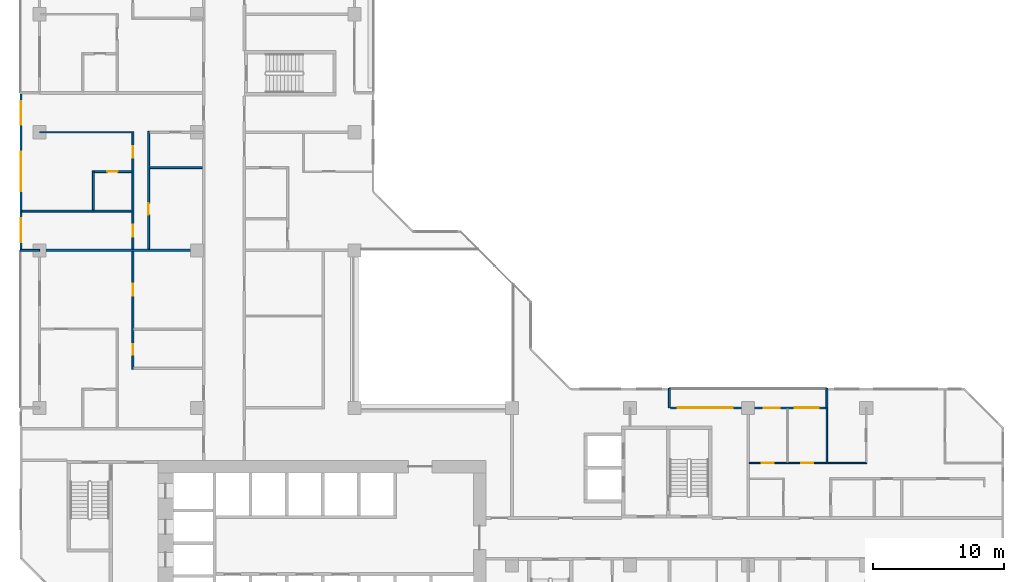
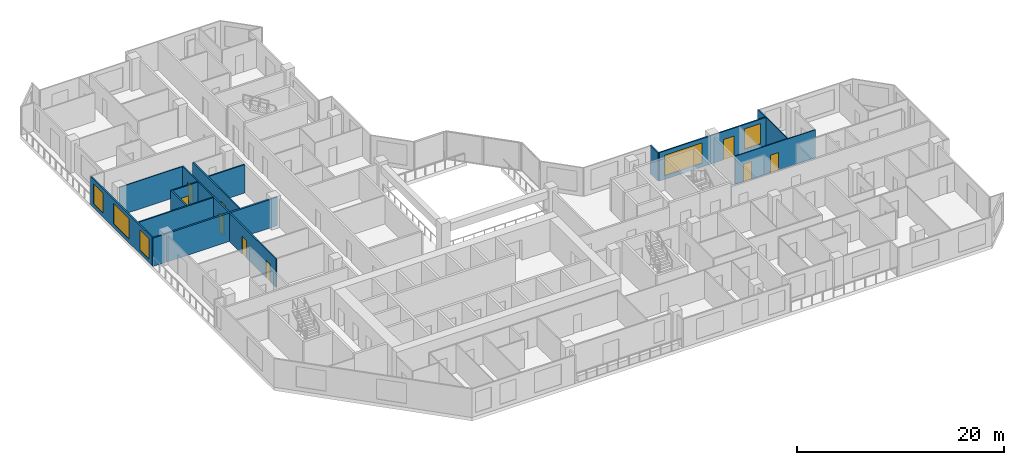
# One storey, part 8 of 14: 16 walls, 9 doors, 5 windows, 14 openings.
"""IFC4 building model written with IfcOpenShell, lengths in metres."""

from ifc_helpers import new_model, si_unit, direction, frame, frame_2d, origin, place, context, subcontext, project, spatial, rectangle, extrude, material, layer, layer_set, type_object, element, fill, save


model = new_model("IFC4")

# Units and contexts
model_context = context("Model", 3, precision=1e-05, world=origin(), true_north=direction((0.0, 1.0)))
body_context = subcontext(model_context, "Body", "Model", "MODEL_VIEW")
ifc_project = project(units=[si_unit("LENGTHUNIT", "METRE"), si_unit("AREAUNIT", "SQUARE_METRE"), si_unit("VOLUMEUNIT", "CUBIC_METRE"), si_unit("PLANEANGLEUNIT", "RADIAN"), si_unit("MASSUNIT", "GRAM", prefix="KILO")], contexts=[model_context])

# Site, building, storey
site_placement = place(None, origin())
site = spatial("IfcSite", under=ifc_project, at=site_placement, CompositionType="ELEMENT")
building_placement = place(site_placement, origin())
building = spatial("IfcBuilding", under=site, at=building_placement, Name="Chenar Terraces", CompositionType="ELEMENT")
storey_placement = place(building_placement, frame((0.0, 0.0, 110.64990234375)))
storey = spatial("IfcBuildingStorey", under=building, at=storey_placement, Name="L25", CompositionType="ELEMENT", Elevation=110.64990234375)

# Wall, openings, windows
ifc_material_1 = material(Name="Aluminium framed glazing", Category="aluminium")
ifc_layer_1 = layer(ifc_material_1, 0.14990234375)
ifc_layer_set_1 = layer_set([ifc_layer_1], Name="Aluminium framed glazing")
wall_type_1 = type_object("IfcWallType", Name="Glazed flush facade wall 150", PredefinedType="SOLIDWALL", material=ifc_layer_set_1)
wall_1_placement = place(storey_placement, frame((-1.425048828125, 47.925048828125, 0.0), z_axis=(0.0, 0.0, 1.0), x_axis=(0.0, -1.0, 0.0)))
wall_1 = element("IfcWall", 1, at=wall_1_placement, inside=storey, type_object=wall_type_1, Name="Glazed flush facade wall", PredefinedType="SOLIDWALL", context=body_context, shape_type="SweptSolid", body=[
    extrude(rectangle(XDim=11.85009765625, YDim=0.14990234375, at=frame_2d((5.925048828125, 0.0))), origin(), (0.0, 0.0, 1.0), 3.35009765625),
])
opening_1_placement = place(wall_1_placement, frame((0.5625, 0.0, 0.449951171875)))
opening_1 = element("IfcOpeningElement", 2, at=opening_1_placement, cuts=wall_1, Name="Opening W180x240", PredefinedType="OPENING", context=body_context, shape_type="SweptSolid", body=[
    extrude(rectangle(XDim=1.800048828125, YDim=2.39990234375, at=frame_2d((0.89990234375, 1.199951171875))), frame((0.0, 0.0849609375, 0.0), z_axis=(0.0, -1.0, 0.0), x_axis=(1.0, 0.0, 0.0)), (0.0, 0.0, 1.0), 0.169921875),
])
opening_2_placement = place(wall_1_placement, frame((4.425048828125, 0.0, 0.449951171875)))
opening_2 = element("IfcOpeningElement", 3, at=opening_2_placement, cuts=wall_1, Name="Opening W300x240", PredefinedType="OPENING", context=body_context, shape_type="SweptSolid", body=[
    extrude(rectangle(XDim=3.0, YDim=2.39990234375, at=frame_2d((1.5, 1.199951171875))), frame((0.0, 0.0849609375, 0.0), z_axis=(0.0, -1.0, 0.0), x_axis=(1.0, 0.0, 0.0)), (0.0, 0.0, 1.0), 0.169921875),
])
opening_3_placement = place(wall_1_placement, frame((9.487548828125, 0.0, 0.449951171875)))
opening_3 = element("IfcOpeningElement", 4, at=opening_3_placement, cuts=wall_1, Name="Opening W180x240", PredefinedType="OPENING", context=body_context, shape_type="SweptSolid", body=[
    extrude(rectangle(XDim=1.800048828125, YDim=2.39990234375, at=frame_2d((0.89990234375, 1.199951171875))), frame((0.0, 0.0849609375, 0.0), z_axis=(0.0, -1.0, 0.0), x_axis=(1.0, 0.0, 0.0)), (0.0, 0.0, 1.0), 0.169921875),
])
ifc_material_2 = material(Name="Low emissivity double glazing, aluminium frame", Category="aluminium")
window_type_1 = type_object("IfcWindowType", Name="Fixed light 1800 x 2400", PartitioningType="SINGLE_PANEL", PredefinedType="WINDOW", material=ifc_material_2)
window_1_placement = place(opening_1_placement, origin())
window_1 = element("IfcWindow", 5, at=window_1_placement, inside=storey, type_object=window_type_1, Name="Window", OverallHeight=2.39990234375, OverallWidth=1.800048828125, PartitioningType="SINGLE_PANEL", PredefinedType="WINDOW", context=body_context, shape_type="SweptSolid", body=[
    extrude(rectangle(XDim=1.800048828125, YDim=2.39990234375, at=frame_2d((0.89990234375, 1.199951171875))), frame((0.0, 0.030029296875, 0.0), z_axis=(0.0, -1.0, 0.0), x_axis=(1.0, 0.0, 0.0)), (0.0, 0.0, 1.0), 0.06005859375),
])
fill(opening_1, window_1)
window_2_placement = place(opening_3_placement, origin())
window_2 = element("IfcWindow", 6, at=window_2_placement, inside=storey, type_object=window_type_1, Name="Window", OverallHeight=2.39990234375, OverallWidth=1.800048828125, PartitioningType="SINGLE_PANEL", PredefinedType="WINDOW", context=body_context, shape_type="SweptSolid", body=[
    extrude(rectangle(XDim=1.800048828125, YDim=2.39990234375, at=frame_2d((0.89990234375, 1.199951171875))), frame((0.0, 0.030029296875, 0.0), z_axis=(0.0, -1.0, 0.0), x_axis=(1.0, 0.0, 0.0)), (0.0, 0.0, 1.0), 0.06005859375),
])
fill(opening_3, window_2)
ifc_material_3 = material(Name="Low emissivity double glazing, aluminium frame", Category="aluminium")
window_type_2 = type_object("IfcWindowType", Name="Fixed light 3000 x 2400", PartitioningType="SINGLE_PANEL", PredefinedType="WINDOW", material=ifc_material_3)
window_3_placement = place(opening_2_placement, origin())
window_3 = element("IfcWindow", 7, at=window_3_placement, inside=storey, type_object=window_type_2, Name="Window", OverallHeight=2.39990234375, OverallWidth=3.0, PartitioningType="SINGLE_PANEL", PredefinedType="WINDOW", context=body_context, shape_type="SweptSolid", body=[
    extrude(rectangle(XDim=3.0, YDim=2.39990234375, at=frame_2d((1.5, 1.199951171875))), frame((0.0, 0.030029296875, 0.0), z_axis=(0.0, -1.0, 0.0), x_axis=(1.0, 0.0, 0.0)), (0.0, 0.0, 1.0), 0.06005859375),
])
fill(opening_2, window_3)

# Wall, openings, windows, door
ifc_material_4 = material(Name="Aluminium framed glazing", Category="aluminium")
ifc_layer_2 = layer(ifc_material_4, 0.14990234375)
ifc_layer_set_2 = layer_set([ifc_layer_2], Name="Aluminium framed glazing")
wall_type_2 = type_object("IfcWallType", Name="Glazed loggia back wall 150", PredefinedType="SOLIDWALL", material=ifc_layer_set_2)
wall_2_placement = place(storey_placement, frame((59.925048828125, 24.0, 0.0), z_axis=(0.0, 0.0, 1.0), x_axis=(-1.0, 0.0, 0.0)))
wall_2 = element("IfcWall", 8, at=wall_2_placement, inside=storey, type_object=wall_type_2, Name="Glazed loggia back wall", PredefinedType="SOLIDWALL", context=body_context, shape_type="SweptSolid", body=[
    extrude(rectangle(XDim=11.85009765625, YDim=0.14990234375, at=frame_2d((5.925048828125, 0.0))), origin(), (0.0, 0.0, 1.0), 3.35009765625),
])
opening_4_placement = place(wall_2_placement, frame((0.5625, 0.0, 0.449951171875)))
opening_4 = element("IfcOpeningElement", 9, at=opening_4_placement, cuts=wall_2, Name="Opening W180x240", PredefinedType="OPENING", context=body_context, shape_type="SweptSolid", body=[
    extrude(rectangle(XDim=1.800048828125, YDim=2.39990234375, at=frame_2d((0.89990234375, 1.199951171875))), frame((0.0, 0.0849609375, 0.0), z_axis=(0.0, -1.0, 0.0), x_axis=(1.0, 0.0, 0.0)), (0.0, 0.0, 1.0), 0.169921875),
])
opening_5_placement = place(wall_2_placement, frame((3.52490234375, 0.0, 0.0)))
opening_5 = element("IfcOpeningElement", 10, at=opening_5_placement, cuts=wall_2, Name="Opening DL25-G1", PredefinedType="OPENING", context=body_context, shape_type="SweptSolid", body=[
    extrude(rectangle(XDim=1.199951171875, YDim=2.39990234375, at=frame_2d((0.60009765625, 1.199951171875))), frame((0.0, 0.0849609375, 0.0), z_axis=(0.0, -1.0, 0.0), x_axis=(1.0, 0.0, 0.0)), (0.0, 0.0, 1.0), 0.169921875),
])
opening_6_placement = place(wall_2_placement, frame((7.08740234375, 0.0, 0.449951171875)))
opening_6 = element("IfcOpeningElement", 11, at=opening_6_placement, cuts=wall_2, Name="Opening W420x240", PredefinedType="OPENING", context=body_context, shape_type="SweptSolid", body=[
    extrude(rectangle(XDim=4.199951171875, YDim=2.39990234375, at=frame_2d((2.10009765625, 1.199951171875))), frame((0.0, 0.0849609375, 0.0), z_axis=(0.0, -1.0, 0.0), x_axis=(1.0, 0.0, 0.0)), (0.0, 0.0, 1.0), 0.169921875),
])
window_4_placement = place(opening_4_placement, origin())
window_4 = element("IfcWindow", 12, at=window_4_placement, inside=storey, type_object=window_type_1, Name="Window", OverallHeight=2.39990234375, OverallWidth=1.800048828125, PartitioningType="SINGLE_PANEL", PredefinedType="WINDOW", context=body_context, shape_type="SweptSolid", body=[
    extrude(rectangle(XDim=1.800048828125, YDim=2.39990234375, at=frame_2d((0.89990234375, 1.199951171875))), frame((0.0, 0.030029296875, 0.0), z_axis=(0.0, -1.0, 0.0), x_axis=(1.0, 0.0, 0.0)), (0.0, 0.0, 1.0), 0.06005859375),
])
fill(opening_4, window_4)
ifc_material_5 = material(Name="Low emissivity double glazing, aluminium frame", Category="aluminium")
window_type_3 = type_object("IfcWindowType", Name="Fixed light 4200 x 2400", PartitioningType="SINGLE_PANEL", PredefinedType="WINDOW", material=ifc_material_5)
window_5_placement = place(opening_6_placement, origin())
window_5 = element("IfcWindow", 13, at=window_5_placement, inside=storey, type_object=window_type_3, Name="Window", OverallHeight=2.39990234375, OverallWidth=4.199951171875, PartitioningType="SINGLE_PANEL", PredefinedType="WINDOW", context=body_context, shape_type="SweptSolid", body=[
    extrude(rectangle(XDim=4.199951171875, YDim=2.39990234375, at=frame_2d((2.10009765625, 1.199951171875))), frame((0.0, 0.030029296875, 0.0), z_axis=(0.0, -1.0, 0.0), x_axis=(1.0, 0.0, 0.0)), (0.0, 0.0, 1.0), 0.06005859375),
])
fill(opening_6, window_5)
ifc_material_6 = material(Name="Low emissivity double glazing, aluminium frame", Category="aluminium")
door_type_1 = type_object("IfcDoorType", Name="Loggia glazed double door 1200 x 2400", OperationType="DOUBLE_DOOR_SINGLE_SWING", PredefinedType="DOOR", material=ifc_material_6)
door_1_placement = place(opening_5_placement, frame((1.199951171875, 0.0, 0.0), z_axis=(0.0, 0.0, 1.0), x_axis=(-1.0, 0.0, 0.0)))
door_1 = element("IfcDoor", 14, at=door_1_placement, inside=storey, type_object=door_type_1, Name="Loggia glazed door", OperationType="DOUBLE_DOOR_SINGLE_SWING", OverallHeight=2.39990234375, OverallWidth=1.199951171875, PredefinedType="DOOR", context=body_context, shape_type="SweptSolid", body=[
    extrude(rectangle(XDim=1.199951171875, YDim=2.39990234375, at=frame_2d((0.60009765625, 1.199951171875))), frame((0.0, 0.02490234375, 0.0), z_axis=(0.0, -1.0, 0.0), x_axis=(1.0, 0.0, 0.0)), (0.0, 0.0, 1.0), 0.050048828125),
])
fill(opening_5, door_1)

# Wall
ifc_material_7 = material(Name="Gypsum board on steel studs", Category="steel")
ifc_layer_3 = layer(ifc_material_7, 0.10009765625)
ifc_layer_set_3 = layer_set([ifc_layer_3], Name="Gypsum board on steel studs")
wall_type_3 = type_object("IfcWallType", Name="Gypsum partition 100", PredefinedType="PARTITIONING", material=ifc_layer_set_3)
wall_3_placement = place(storey_placement, frame((0.0, 45.0, 0.0), z_axis=(0.0, 0.0, 1.0), x_axis=(1.0, 0.0, 0.0)))
element("IfcWall", 15, at=wall_3_placement, inside=storey, type_object=wall_type_3, Name="Partition L25-005", PredefinedType="PARTITIONING", context=body_context, shape_type="SweptSolid", body=[
    extrude(rectangle(XDim=7.02490234375, YDim=0.10009765625, at=frame_2d((3.512451171875, 0.0))), origin(), (0.0, 0.0, 1.0), 3.35009765625),
])

# Wall, openings, doors
wall_4_placement = place(storey_placement, frame((54.10009765625, 19.800048828125, 0.0), z_axis=(0.0, 0.0, 1.0), x_axis=(1.0, 0.0, 0.0)))
wall_4 = element("IfcWall", 16, at=wall_4_placement, inside=storey, type_object=wall_type_3, Name="Partition L25-082", PredefinedType="PARTITIONING", context=body_context, shape_type="SweptSolid", body=[
    extrude(rectangle(XDim=8.949951171875, YDim=0.10009765625, at=frame_2d((4.47509765625, 0.0))), origin(), (0.0, 0.0, 1.0), 3.35009765625),
])
opening_7_placement = place(wall_4_placement, frame((0.949951171875, 0.0, 0.0)))
opening_7 = element("IfcOpeningElement", 17, at=opening_7_placement, cuts=wall_4, Name="Opening DL25-5", PredefinedType="OPENING", context=body_context, shape_type="SweptSolid", body=[
    extrude(rectangle(XDim=0.89990234375, YDim=2.10009765625, at=frame_2d((0.449951171875, 1.050048828125))), frame((0.0, 0.06005859375, 0.0), z_axis=(0.0, -1.0, 0.0), x_axis=(1.0, 0.0, 0.0)), (0.0, 0.0, 1.0), 0.1201171875),
])
opening_8_placement = place(wall_4_placement, frame((3.949951171875, 0.0, 0.0)))
opening_8 = element("IfcOpeningElement", 18, at=opening_8_placement, cuts=wall_4, Name="Opening DL25-6", PredefinedType="OPENING", context=body_context, shape_type="SweptSolid", body=[
    extrude(rectangle(XDim=0.89990234375, YDim=2.10009765625, at=frame_2d((0.449951171875, 1.050048828125))), frame((0.0, 0.06005859375, 0.0), z_axis=(0.0, -1.0, 0.0), x_axis=(1.0, 0.0, 0.0)), (0.0, 0.0, 1.0), 0.1201171875),
])
ifc_material_8 = material(Name="Veneered timber door leaf", Category="wood")
door_type_2 = type_object("IfcDoorType", Name="Door 900 x 2100", OperationType="SINGLE_SWING_LEFT", PredefinedType="DOOR", material=ifc_material_8)
door_2_placement = place(opening_7_placement, origin())
door_2 = element("IfcDoor", 19, at=door_2_placement, inside=storey, type_object=door_type_2, Name="Door DL25-5", OperationType="SINGLE_SWING_RIGHT", OverallHeight=2.10009765625, OverallWidth=0.89990234375, PredefinedType="DOOR", context=body_context, shape_type="SweptSolid", body=[
    extrude(rectangle(XDim=0.89990234375, YDim=2.10009765625, at=frame_2d((0.449951171875, 1.050048828125))), frame((0.0, 0.02490234375, 0.0), z_axis=(0.0, -1.0, 0.0), x_axis=(1.0, 0.0, 0.0)), (0.0, 0.0, 1.0), 0.050048828125),
])
fill(opening_7, door_2)
door_3_placement = place(opening_8_placement, origin())
door_3 = element("IfcDoor", 20, at=door_3_placement, inside=storey, type_object=door_type_2, Name="Door DL25-6", OperationType="SINGLE_SWING_RIGHT", OverallHeight=2.10009765625, OverallWidth=0.89990234375, PredefinedType="DOOR", context=body_context, shape_type="SweptSolid", body=[
    extrude(rectangle(XDim=0.89990234375, YDim=2.10009765625, at=frame_2d((0.449951171875, 1.050048828125))), frame((0.0, 0.02490234375, 0.0), z_axis=(0.0, -1.0, 0.0), x_axis=(1.0, 0.0, 0.0)), (0.0, 0.0, 1.0), 0.050048828125),
])
fill(opening_8, door_3)

# Walls
wall_5_placement = place(storey_placement, frame((60.0, 19.85009765625, 0.0), z_axis=(0.0, 0.0, 1.0), x_axis=(0.0, 1.0, 0.0)))
element("IfcWall", 21, at=wall_5_placement, inside=storey, type_object=wall_type_3, Name="Partition L25-088", PredefinedType="PARTITIONING", context=body_context, shape_type="SweptSolid", body=[
    extrude(rectangle(XDim=4.14990234375, YDim=0.10009765625, at=frame_2d((2.074951171875, 0.0))), origin(), (0.0, 0.0, 1.0), 3.35009765625),
])
ifc_material_9 = material(Name="Terracotta cladding on insulated backing", Category="masonry")
ifc_layer_4 = layer(ifc_material_9, 0.14990234375)
ifc_layer_set_4 = layer_set([ifc_layer_4], Name="Terracotta cladding on insulated backing")
wall_type_4 = type_object("IfcWallType", Name="Loggia return wall 150", PredefinedType="SOLIDWALL", material=ifc_layer_set_4)
for number, where, z_axis, x_axis, name in (
    (22, (60.0, 25.5, 0.0), (0.0, 0.0, 1.0), (0.0, -1.0, 0.0), "Loggia return wall"),
    (23, (48.0, 25.5, 0.0), (0.0, 0.0, 1.0), (0.0, -1.0, 0.0), "Loggia return wall"),
    (24, (-1.5, 36.0, 0.0), (0.0, 0.0, 1.0), (1.0, 0.0, 0.0), "Loggia return wall"),
):
    element("IfcWall", number, at=place(storey_placement, frame(where, z_axis=z_axis, x_axis=x_axis)), inside=storey, type_object=wall_type_4, Name=name, PredefinedType="SOLIDWALL", context=body_context, shape_type="SweptSolid", body=[
        extrude(rectangle(XDim=1.5, YDim=0.14990234375, at=frame_2d((0.75, 0.0))), origin(), (0.0, 0.0, 1.0), 3.35009765625),
    ])
ifc_material_10 = material(Name="Twin gypsum board on steel studs with mineral wool", Category="steel")
ifc_layer_5 = layer(ifc_material_10, 0.199951171875)
ifc_layer_set_5 = layer_set([ifc_layer_5], Name="Twin gypsum board on steel studs with mineral wool")
wall_type_5 = type_object("IfcWallType", Name="Unit demising wall 200", PredefinedType="PARTITIONING", material=ifc_layer_set_5)
wall_6_placement = place(storey_placement, frame((0.0, 36.0, 0.0), z_axis=(0.0, 0.0, 1.0), x_axis=(1.0, 0.0, 0.0)))
element("IfcWall", 25, at=wall_6_placement, inside=storey, type_object=wall_type_5, Name="Partition L25-004", PredefinedType="PARTITIONING", context=body_context, shape_type="SweptSolid", body=[
    extrude(rectangle(XDim=12.39990234375, YDim=0.199951171875, at=frame_2d((6.199951171875, 0.0))), origin(), (0.0, 0.0, 1.0), 3.35009765625),
])
ifc_material_11 = material(Name="Moisture-resistant gypsum board on steel studs", Category="steel")
ifc_layer_6 = layer(ifc_material_11, 0.14990234375)
ifc_layer_set_6 = layer_set([ifc_layer_6], Name="Moisture-resistant gypsum board on steel studs")
wall_type_6 = type_object("IfcWallType", Name="Wet-room partition 150", PredefinedType="PARTITIONING", material=ifc_layer_set_6)
wall_7_placement = place(storey_placement, frame((-1.35107421875, 39.0, 0.0), z_axis=(0.0, 0.0, 1.0), x_axis=(1.0, 0.0, 0.0)))
element("IfcWall", 26, at=wall_7_placement, inside=storey, type_object=wall_type_6, Name="Partition L25-001", PredefinedType="PARTITIONING", context=body_context, shape_type="SweptSolid", body=[
    extrude(rectangle(XDim=8.3759765625, YDim=0.14990234375, at=frame_2d((4.18798828125, 0.0))), origin(), (0.0, 0.0, 1.0), 3.35009765625),
])
wall_8_placement = place(storey_placement, frame((4.10009765625, 39.074951171875, 0.0), z_axis=(0.0, 0.0, 1.0), x_axis=(0.0, 1.0, 0.0)))
element("IfcWall", 27, at=wall_8_placement, inside=storey, type_object=wall_type_6, Name="Partition L25-015", PredefinedType="PARTITIONING", context=body_context, shape_type="SweptSolid", body=[
    extrude(rectangle(XDim=3.0, YDim=0.14990234375, at=frame_2d((1.5, 0.0))), origin(), (0.0, 0.0, 1.0), 3.35009765625),
])

# Wall, opening, door
wall_9_placement = place(storey_placement, frame((4.175048828125, 42.0, 0.0), z_axis=(0.0, 0.0, 1.0), x_axis=(1.0, 0.0, 0.0)))
wall_9 = element("IfcWall", 28, at=wall_9_placement, inside=storey, type_object=wall_type_6, Name="Partition L25-016", PredefinedType="PARTITIONING", context=body_context, shape_type="SweptSolid", body=[
    extrude(rectangle(XDim=2.849853515625, YDim=0.14990234375, at=frame_2d((1.4248046875, 0.0))), origin(), (0.0, 0.0, 1.0), 3.35009765625),
])
opening_9_placement = place(wall_9_placement, frame((0.97509765625, 0.0, 0.0)))
opening_9 = element("IfcOpeningElement", 29, at=opening_9_placement, cuts=wall_9, Name="Opening DL25-37", PredefinedType="OPENING", context=body_context, shape_type="SweptSolid", body=[
    extrude(rectangle(XDim=0.800048828125, YDim=2.10009765625, at=frame_2d((0.39990234375, 1.050048828125))), frame((0.0, 0.0849609375, 0.0), z_axis=(0.0, -1.0, 0.0), x_axis=(1.0, 0.0, 0.0)), (0.0, 0.0, 1.0), 0.169921875),
])
ifc_material_12 = material(Name="Veneered timber door leaf", Category="wood")
door_type_3 = type_object("IfcDoorType", Name="Door 800 x 2100", OperationType="SINGLE_SWING_LEFT", PredefinedType="DOOR", material=ifc_material_12)
door_4_placement = place(opening_9_placement, frame((0.800048828125, 0.0, 0.0), z_axis=(0.0, 0.0, 1.0), x_axis=(-1.0, 0.0, 0.0)))
door_4 = element("IfcDoor", 30, at=door_4_placement, inside=storey, type_object=door_type_3, Name="Door DL25-37", OperationType="SINGLE_SWING_RIGHT", OverallHeight=2.10009765625, OverallWidth=0.800048828125, PredefinedType="DOOR", context=body_context, shape_type="SweptSolid", body=[
    extrude(rectangle(XDim=0.800048828125, YDim=2.10009765625, at=frame_2d((0.39990234375, 1.050048828125))), frame((0.0, 0.02490234375, 0.0), z_axis=(0.0, -1.0, 0.0), x_axis=(1.0, 0.0, 0.0)), (0.0, 0.0, 1.0), 0.050048828125),
])
fill(opening_9, door_4)

# Wall, openings, doors
wall_10_placement = place(storey_placement, frame((7.10009765625, 26.925048828125, 0.0), z_axis=(0.0, 0.0, 1.0), x_axis=(0.0, 1.0, 0.0)))
wall_10 = element("IfcWall", 31, at=wall_10_placement, inside=storey, type_object=wall_type_6, Name="Partition L25-020", PredefinedType="PARTITIONING", context=body_context, shape_type="SweptSolid", body=[
    extrude(rectangle(XDim=8.974853515625, YDim=0.14990234375, at=frame_2d((4.4873046875, 0.0))), origin(), (0.0, 0.0, 1.0), 3.35009765625),
])
opening_10_placement = place(wall_10_placement, frame((1.125, 0.0, 0.0)))
opening_10 = element("IfcOpeningElement", 32, at=opening_10_placement, cuts=wall_10, Name="Opening DL25-64", PredefinedType="OPENING", context=body_context, shape_type="SweptSolid", body=[
    extrude(rectangle(XDim=0.800048828125, YDim=2.10009765625, at=frame_2d((0.39990234375, 1.050048828125))), frame((0.0, 0.0849609375, 0.0), z_axis=(0.0, -1.0, 0.0), x_axis=(1.0, 0.0, 0.0)), (0.0, 0.0, 1.0), 0.169921875),
])
opening_11_placement = place(wall_10_placement, frame((5.625, 0.0, 0.0)))
opening_11 = element("IfcOpeningElement", 33, at=opening_11_placement, cuts=wall_10, Name="Opening DL25-67", PredefinedType="OPENING", context=body_context, shape_type="SweptSolid", body=[
    extrude(rectangle(XDim=0.89990234375, YDim=2.10009765625, at=frame_2d((0.449951171875, 1.050048828125))), frame((0.0, 0.0849609375, 0.0), z_axis=(0.0, -1.0, 0.0), x_axis=(1.0, 0.0, 0.0)), (0.0, 0.0, 1.0), 0.169921875),
])
door_5_placement = place(opening_10_placement, frame((0.800048828125, 0.0, 0.0), z_axis=(0.0, 0.0, 1.0), x_axis=(-1.0, 0.0, 0.0)))
door_5 = element("IfcDoor", 34, at=door_5_placement, inside=storey, type_object=door_type_3, Name="Door DL25-64", OperationType="SINGLE_SWING_RIGHT", OverallHeight=2.10009765625, OverallWidth=0.800048828125, PredefinedType="DOOR", context=body_context, shape_type="SweptSolid", body=[
    extrude(rectangle(XDim=0.800048828125, YDim=2.10009765625, at=frame_2d((0.39990234375, 1.050048828125))), frame((0.0, 0.02490234375, 0.0), z_axis=(0.0, -1.0, 0.0), x_axis=(1.0, 0.0, 0.0)), (0.0, 0.0, 1.0), 0.050048828125),
])
fill(opening_10, door_5)
door_6_placement = place(opening_11_placement, frame((0.89990234375, 0.0, 0.0), z_axis=(0.0, 0.0, 1.0), x_axis=(-1.0, 0.0, 0.0)))
door_6 = element("IfcDoor", 35, at=door_6_placement, inside=storey, type_object=door_type_2, Name="Door DL25-67", OperationType="SINGLE_SWING_LEFT", OverallHeight=2.10009765625, OverallWidth=0.89990234375, PredefinedType="DOOR", context=body_context, shape_type="SweptSolid", body=[
    extrude(rectangle(XDim=0.89990234375, YDim=2.10009765625, at=frame_2d((0.449951171875, 1.050048828125))), frame((0.0, 0.02490234375, 0.0), z_axis=(0.0, -1.0, 0.0), x_axis=(1.0, 0.0, 0.0)), (0.0, 0.0, 1.0), 0.050048828125),
])
fill(opening_11, door_6)

wall_11_placement = place(storey_placement, frame((7.10009765625, 36.10009765625, 0.0), z_axis=(0.0, 0.0, 1.0), x_axis=(0.0, 1.0, 0.0)))
wall_11 = element("IfcWall", 36, at=wall_11_placement, inside=storey, type_object=wall_type_6, Name="Partition L25-021", PredefinedType="PARTITIONING", context=body_context, shape_type="SweptSolid", body=[
    extrude(rectangle(XDim=8.949951171875, YDim=0.14990234375, at=frame_2d((4.47509765625, 0.0))), origin(), (0.0, 0.0, 1.0), 3.35009765625),
])
opening_12_placement = place(wall_11_placement, frame((0.949951171875, 0.0, 0.0)))
opening_12 = element("IfcOpeningElement", 37, at=opening_12_placement, cuts=wall_11, Name="Opening DL25-35", PredefinedType="OPENING", context=body_context, shape_type="SweptSolid", body=[
    extrude(rectangle(XDim=0.89990234375, YDim=2.10009765625, at=frame_2d((0.449951171875, 1.050048828125))), frame((0.0, 0.0849609375, 0.0), z_axis=(0.0, -1.0, 0.0), x_axis=(1.0, 0.0, 0.0)), (0.0, 0.0, 1.0), 0.169921875),
])
opening_13_placement = place(wall_11_placement, frame((6.949951171875, 0.0, 0.0)))
opening_13 = element("IfcOpeningElement", 38, at=opening_13_placement, cuts=wall_11, Name="Opening DL25-36", PredefinedType="OPENING", context=body_context, shape_type="SweptSolid", body=[
    extrude(rectangle(XDim=0.89990234375, YDim=2.10009765625, at=frame_2d((0.449951171875, 1.050048828125))), frame((0.0, 0.0849609375, 0.0), z_axis=(0.0, -1.0, 0.0), x_axis=(1.0, 0.0, 0.0)), (0.0, 0.0, 1.0), 0.169921875),
])
door_7_placement = place(opening_12_placement, origin())
door_7 = element("IfcDoor", 39, at=door_7_placement, inside=storey, type_object=door_type_2, Name="Door DL25-35", OperationType="SINGLE_SWING_RIGHT", OverallHeight=2.10009765625, OverallWidth=0.89990234375, PredefinedType="DOOR", context=body_context, shape_type="SweptSolid", body=[
    extrude(rectangle(XDim=0.89990234375, YDim=2.10009765625, at=frame_2d((0.449951171875, 1.050048828125))), frame((0.0, 0.02490234375, 0.0), z_axis=(0.0, -1.0, 0.0), x_axis=(1.0, 0.0, 0.0)), (0.0, 0.0, 1.0), 0.050048828125),
])
fill(opening_12, door_7)
door_8_placement = place(opening_13_placement, origin())
door_8 = element("IfcDoor", 40, at=door_8_placement, inside=storey, type_object=door_type_2, Name="Door DL25-36", OperationType="SINGLE_SWING_RIGHT", OverallHeight=2.10009765625, OverallWidth=0.89990234375, PredefinedType="DOOR", context=body_context, shape_type="SweptSolid", body=[
    extrude(rectangle(XDim=0.89990234375, YDim=2.10009765625, at=frame_2d((0.449951171875, 1.050048828125))), frame((0.0, 0.02490234375, 0.0), z_axis=(0.0, -1.0, 0.0), x_axis=(1.0, 0.0, 0.0)), (0.0, 0.0, 1.0), 0.050048828125),
])
fill(opening_13, door_8)

# Wall, opening, door
wall_12_placement = place(storey_placement, frame((8.300048828125, 36.10009765625, 0.0), z_axis=(0.0, 0.0, 1.0), x_axis=(0.0, 1.0, 0.0)))
wall_12 = element("IfcWall", 41, at=wall_12_placement, inside=storey, type_object=wall_type_6, Name="Partition L25-027", PredefinedType="PARTITIONING", context=body_context, shape_type="SweptSolid", body=[
    extrude(rectangle(XDim=8.974853515625, YDim=0.14990234375, at=frame_2d((4.4873046875, 0.0))), origin(), (0.0, 0.0, 1.0), 3.35009765625),
])
opening_14_placement = place(wall_12_placement, frame((2.60009765625, 0.0, 0.0)))
opening_14 = element("IfcOpeningElement", 42, at=opening_14_placement, cuts=wall_12, Name="Opening DL25-38", PredefinedType="OPENING", context=body_context, shape_type="SweptSolid", body=[
    extrude(rectangle(XDim=0.89990234375, YDim=2.10009765625, at=frame_2d((0.449951171875, 1.050048828125))), frame((0.0, 0.0849609375, 0.0), z_axis=(0.0, -1.0, 0.0), x_axis=(1.0, 0.0, 0.0)), (0.0, 0.0, 1.0), 0.169921875),
])
door_9_placement = place(opening_14_placement, frame((0.89990234375, 0.0, 0.0), z_axis=(0.0, 0.0, 1.0), x_axis=(-1.0, 0.0, 0.0)))
door_9 = element("IfcDoor", 43, at=door_9_placement, inside=storey, type_object=door_type_2, Name="Door DL25-38", OperationType="SINGLE_SWING_LEFT", OverallHeight=2.10009765625, OverallWidth=0.89990234375, PredefinedType="DOOR", context=body_context, shape_type="SweptSolid", body=[
    extrude(rectangle(XDim=0.89990234375, YDim=2.10009765625, at=frame_2d((0.449951171875, 1.050048828125))), frame((0.0, 0.02490234375, 0.0), z_axis=(0.0, -1.0, 0.0), x_axis=(1.0, 0.0, 0.0)), (0.0, 0.0, 1.0), 0.050048828125),
])
fill(opening_14, door_9)

# Wall
wall_13_placement = place(storey_placement, frame((8.375, 42.300048828125, 0.0), z_axis=(0.0, 0.0, 1.0), x_axis=(1.0, 0.0, 0.0)))
element("IfcWall", 44, at=wall_13_placement, inside=storey, type_object=wall_type_6, Name="Partition L25-028", PredefinedType="PARTITIONING", context=body_context, shape_type="SweptSolid", body=[
    extrude(rectangle(XDim=4.02490234375, YDim=0.14990234375, at=frame_2d((2.012451171875, 0.0))), origin(), (0.0, 0.0, 1.0), 3.35009765625),
])

save(model, "model.ifc")
